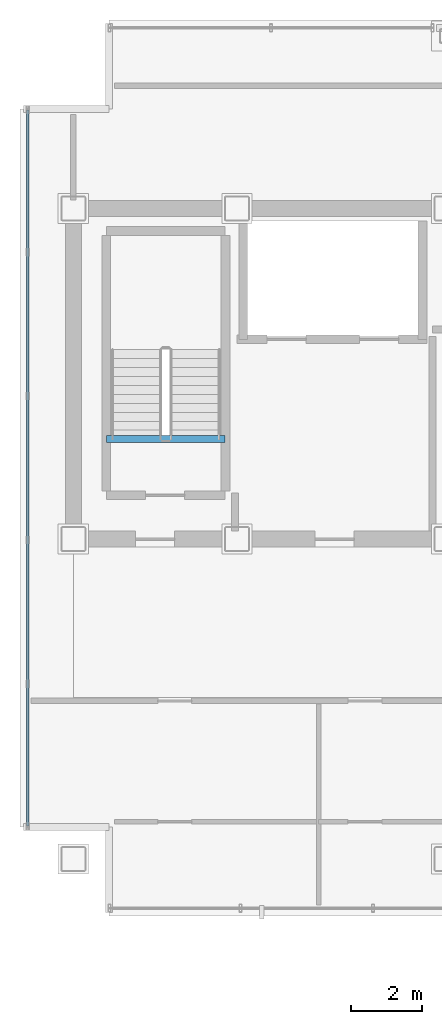
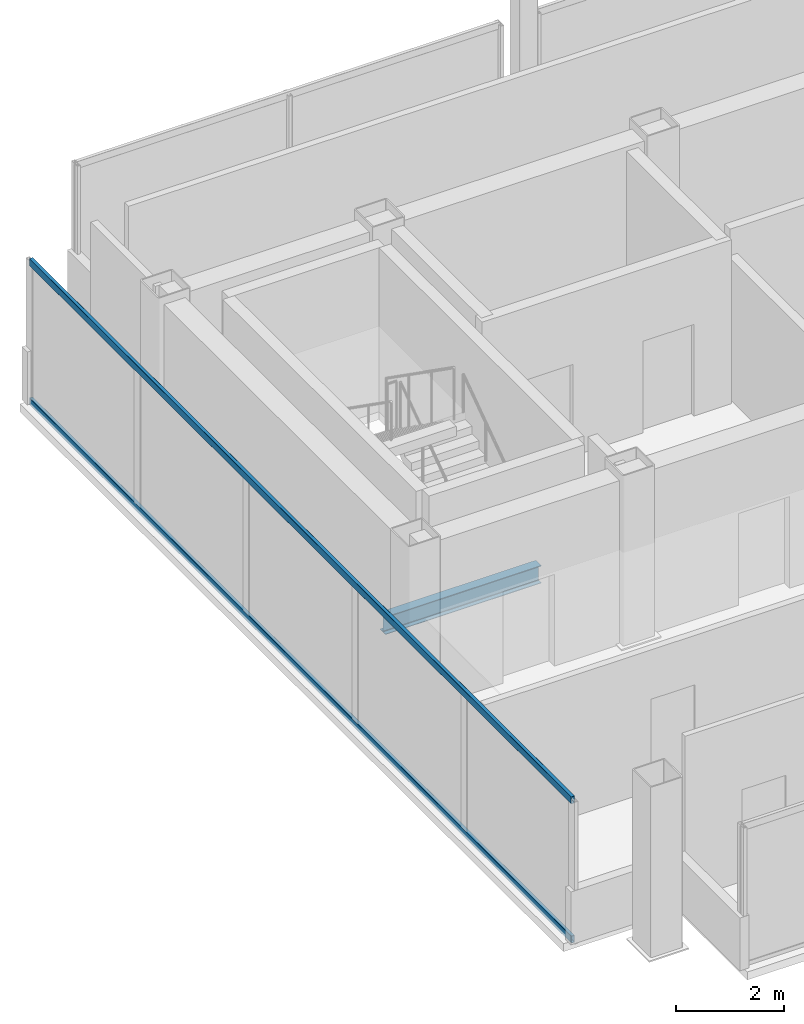
# One storey, part 5 of 17: 2 members, 1 beam, 1 element without a shape of its own.
"""IFC4 building model written with IfcOpenShell, lengths in metres."""

from ifc_helpers import new_model, si_unit, direction, frame, origin, origin_2d, place, context, subcontext, project, spatial, hollow_rectangle, i_section, extrude, material, material_profile, profile_set, type_object, element, aggregate, save


model = new_model("IFC4")

# Units and contexts
model_context = context("Model", 3, precision=1e-05, world=origin(), true_north=direction((0.0, 1.0)))
body_context = subcontext(model_context, "Body", "Model", "MODEL_VIEW")
ifc_project = project(units=[si_unit("LENGTHUNIT", "METRE"), si_unit("AREAUNIT", "SQUARE_METRE"), si_unit("VOLUMEUNIT", "CUBIC_METRE"), si_unit("PLANEANGLEUNIT", "RADIAN"), si_unit("MASSUNIT", "GRAM", prefix="KILO")], contexts=[model_context])

# Site, building, storey
site_placement = place(None, origin())
site = spatial("IfcSite", under=ifc_project, at=site_placement, CompositionType="ELEMENT")
building_placement = place(site_placement, origin())
building = spatial("IfcBuilding", under=site, at=building_placement, Name="Noeulbin Bourse Tower", CompositionType="ELEMENT")
storey_placement = place(building_placement, frame((0.0, 0.0, 293.0)))
storey = spatial("IfcBuildingStorey", under=building, at=storey_placement, Name="L73", CompositionType="ELEMENT", Elevation=293.0)

# Beam
ifc_material_1 = material(Name="Steel S355", Category="steel")
ifc_material_profile_1 = material_profile(ifc_material_1, i_section(OverallWidth=0.199951171875, OverallDepth=0.39990234375, WebThickness=0.008056640625, FlangeThickness=0.012939453125, FilletRadius=0.01611328125, at=origin_2d()), Name="H-400x200x8x13", Category="LoadBearing")
ifc_profile_set_1 = profile_set([ifc_material_profile_1], Name="Steel S355")
beam_type = type_object("IfcBeamType", Name="BM-SEC-400", PredefinedType="BEAM", material=ifc_profile_set_1)
beam_placement = place(storey_placement, frame((14.429931640625, 31.820068359375, -0.199951171875), z_axis=(1.0, 0.0, 0.0), x_axis=(0.0, 1.0, 0.0)))
element("IfcBeam", 1, at=beam_placement, inside=storey, type_object=beam_type, Name="Stair Threshold Trimmer Beam ST1-L73", PredefinedType="BEAM", context=body_context, shape_type="SweptSolid", body=[
    extrude(i_section(OverallWidth=0.199951171875, OverallDepth=0.39990234375, WebThickness=0.008056640625, FlangeThickness=0.012939453125, FilletRadius=0.01611328125, at=origin_2d()), origin(), (0.0, 0.0, 1.0), 3.340087890625),
])

# Curtain wall, members
ifc_material_2 = material(Name="High-Selectivity Low-Iron Glazing", Category="glass")
curtain_wall_type = type_object("IfcCurtainWallType", Name="CW-SYS-4", PredefinedType="NOTDEFINED", material=ifc_material_2)
curtain_wall_placement = place(storey_placement, origin())
curtain_wall = element("IfcCurtainWall", 2, at=curtain_wall_placement, inside=storey, type_object=curtain_wall_type, Name="Unitised Curtain Wall CW-L73-W", PredefinedType="NOTDEFINED")
ifc_material_3 = material(Name="Anodised Aluminium 6063-T6", Category="aluminium")
ifc_material_profile_2 = material_profile(ifc_material_3, hollow_rectangle(XDim=0.074951171875, YDim=0.159912109375, WallThickness=0.0048828125, InnerFilletRadius=0.00244140625, OuterFilletRadius=0.0048828125, at=origin_2d()), Name="ALU-TRAN-75x160x5", Category="LoadBearing")
ifc_profile_set_2 = profile_set([ifc_material_profile_2], Name="Anodised Aluminium 6063-T6")
member_type = type_object("IfcMemberType", Name="CW-SYS-4-TRN", PredefinedType="USERDEFINED", material=ifc_profile_set_2)
member_1_placement = place(storey_placement, frame((12.219970703125, 20.929931640625, 0.010009765625), z_axis=(0.0, 1.0, 0.0), x_axis=(-1.0, 0.0, 0.0)))
member_1 = element("IfcMember", 3, at=member_1_placement, type_object=member_type, Name="Curtain Wall Transom CW-L73-W-T00", ObjectType="TRANSOM", PredefinedType="USERDEFINED", context=body_context, shape_type="SweptSolid", body=[
    extrude(hollow_rectangle(XDim=0.074951171875, YDim=0.159912109375, WallThickness=0.0048828125, InnerFilletRadius=0.00244140625, OuterFilletRadius=0.0048828125, at=origin_2d()), origin(), (0.0, 0.0, 1.0), 20.14013671875),
])
member_2_placement = place(storey_placement, frame((12.219970703125, 20.929931640625, 3.169921875), z_axis=(0.0, 1.0, 0.0), x_axis=(-1.0, 0.0, 0.0)))
member_2 = element("IfcMember", 4, at=member_2_placement, type_object=member_type, Name="Curtain Wall Transom CW-L73-W-T01", ObjectType="TRANSOM", PredefinedType="USERDEFINED", context=body_context, shape_type="SweptSolid", body=[
    extrude(hollow_rectangle(XDim=0.074951171875, YDim=0.159912109375, WallThickness=0.0048828125, InnerFilletRadius=0.00244140625, OuterFilletRadius=0.0048828125, at=origin_2d()), origin(), (0.0, 0.0, 1.0), 20.14013671875),
])
aggregate(curtain_wall, [member_1, member_2])

save(model, "model.ifc")
